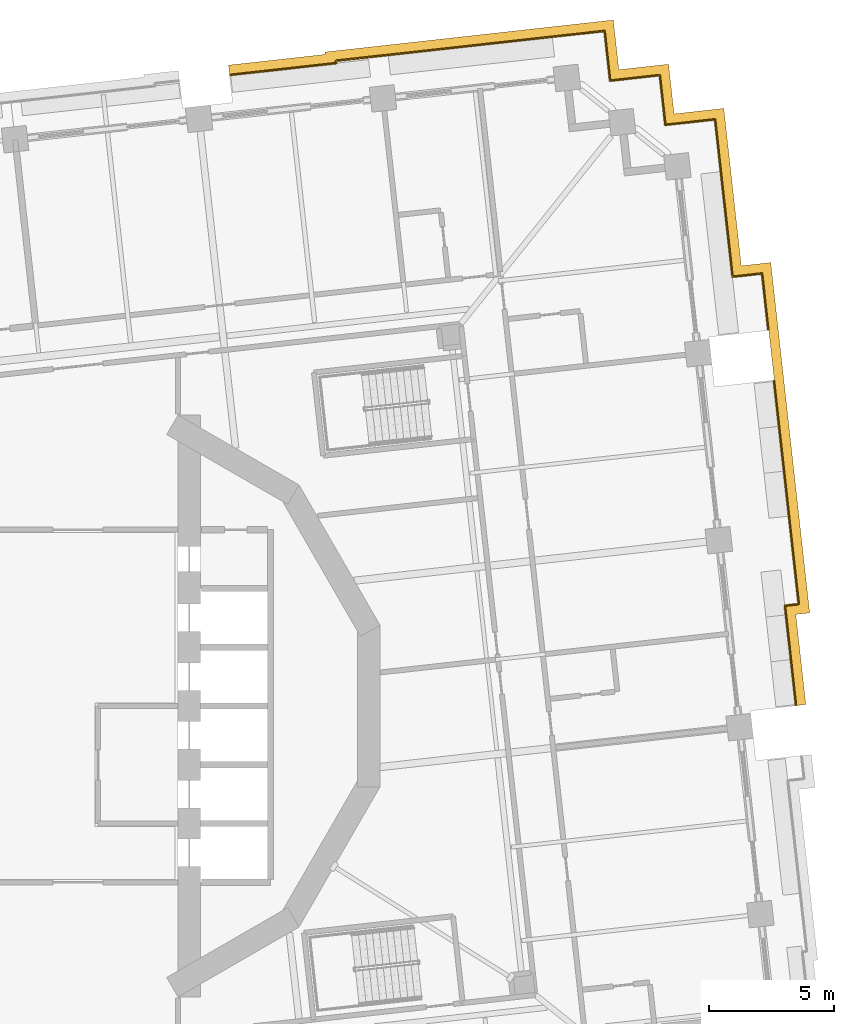
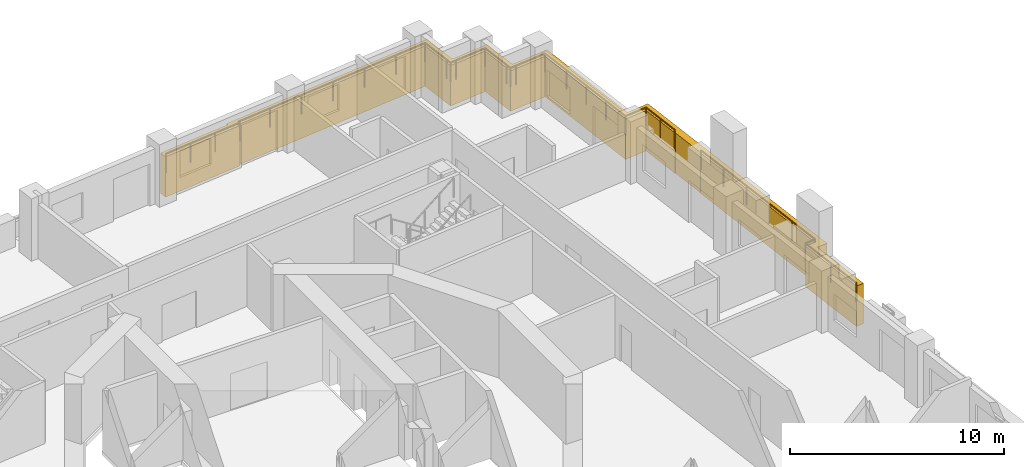
# One storey, part 18 of 19: 3 railings, 1 covering.
"""IFC4 building model written with IfcOpenShell, lengths in metres."""

import ifcopenshell
import ifcopenshell.guid

model = None  # the IFC model being written
_history = None  # IfcOwnerHistory: only IFC2X3 demands one
_inside = {}  # id of a spatial element -> (the spatial element, [elements in it])
_under = {}  # id of a project, library or spatial element -> (it, [spatial elements below it])
_declared = {}  # id of a project -> (the project, [libraries it declares])
_typed = {}  # id of a type object -> (the type object, [elements of that type])
_made_of = {}  # id of a material, layer set ... -> (it, [elements and type objects made of it])


def new_model(schema):
    """Start an empty IFC model of exactly this schema.

    Asked for "IFC4X3", IfcOpenShell would pick the latest addendum, in which some entities
    have other attributes; the version numbers below select the first issue.
    IFC2X3 requires an IfcOwnerHistory on every rooted entity: one is made here for all.
    """
    global model, _history
    if schema == "IFC4X3":
        model = ifcopenshell.file(schema_version=(4, 3, 0, 0))
    else:
        model = ifcopenshell.file(schema=schema)
    _inside.clear()
    _under.clear()
    _declared.clear()
    _typed.clear()
    _made_of.clear()
    _history = None
    if model.schema == "IFC2X3":
        org = make("IfcOrganization", Name="unknown")
        user = make(
            "IfcPersonAndOrganization",
            ThePerson=make("IfcPerson", FamilyName="unknown"),
            TheOrganization=org,
        )
        app = make(
            "IfcApplication",
            ApplicationDeveloper=org,
            Version="unknown",
            ApplicationFullName="unknown",
            ApplicationIdentifier="unknown",
        )
        _history = make(
            "IfcOwnerHistory",
            OwningUser=user,
            OwningApplication=app,
            ChangeAction="ADDED",
            CreationDate=0,
        )
    return model


def make(cls, **values):
    """One entity of the class cls with the attributes given. An attribute that is None is left unset."""
    return model.create_entity(
        cls, **{name: value for name, value in values.items() if value is not None}
    )


def rooted(cls, **values):
    """An entity with a GlobalId (a new one), such as an element, a storey or a relation."""
    return make(cls, GlobalId=ifcopenshell.guid.new(), OwnerHistory=_history, **values)


def si_unit(unit_type, name, prefix=None):
    """IfcSIUnit, for example si_unit("LENGTHUNIT", "METRE", prefix="MILLI")."""
    return make("IfcSIUnit", UnitType=unit_type, Prefix=prefix, Name=name)


def assignment(units):
    """IfcUnitAssignment: the units of a project."""
    return None if units is None else make("IfcUnitAssignment", Units=units)


def point(xyz):
    """IfcCartesianPoint."""
    return None if xyz is None else make("IfcCartesianPoint", Coordinates=xyz)


def direction(xyz):
    """IfcDirection."""
    return None if xyz is None else make("IfcDirection", DirectionRatios=xyz)


def frame(location, z_axis=None, x_axis=None):
    """IfcAxis2Placement3D, a coordinate frame: its origin and axes. An axis left out is left unset."""
    return make(
        "IfcAxis2Placement3D",
        Location=point(location),
        Axis=direction(z_axis),
        RefDirection=direction(x_axis),
    )


def frame_2d(location, x_axis=None):
    """IfcAxis2Placement2D, a coordinate frame in the plane: its origin and x axis."""
    return make(
        "IfcAxis2Placement2D", Location=point(location), RefDirection=direction(x_axis)
    )


def origin():
    """The frame at (0, 0, 0) with its axes left unset."""
    return frame((0.0, 0.0, 0.0))


def origin_2d():
    """The frame at (0, 0) in the plane with its x axis left unset."""
    return frame_2d((0.0, 0.0))


def place(relative_to, where):
    """IfcLocalPlacement: puts the frame where relative to a parent placement (None: the world)."""
    return make(
        "IfcLocalPlacement", PlacementRelTo=relative_to, RelativePlacement=where
    )


def context(
    kind, dimensions, precision=None, world=None, true_north=None, identifier=None
):
    """IfcGeometricRepresentationContext, for example the 3D "Model" context."""
    return make(
        "IfcGeometricRepresentationContext",
        ContextIdentifier=identifier,
        ContextType=kind,
        CoordinateSpaceDimension=dimensions,
        Precision=precision,
        WorldCoordinateSystem=world,
        TrueNorth=true_north,
    )


def subcontext(parent, identifier, kind, view, scale=None):
    """IfcGeometricRepresentationSubContext, for example "Body" below "Model"."""
    return make(
        "IfcGeometricRepresentationSubContext",
        ContextIdentifier=identifier,
        ContextType=kind,
        ParentContext=parent,
        TargetScale=scale,
        TargetView=view,
    )


def project(units=None, contexts=None):
    """IfcProject with its units and contexts."""
    return rooted(
        "IfcProject",
        Name="project",
        RepresentationContexts=contexts,
        UnitsInContext=assignment(units),
    )


def spatial(cls, under=None, at=None, **own):
    """A site, building, storey or space (cls), placed at a placement, below another one or the project."""
    s = rooted(cls, ObjectPlacement=at, **own)
    if under is not None:
        _under.setdefault(under.id(), (under, []))[1].append(s)
    return s


def polyline(points):
    """IfcPolyline through the points."""
    return make("IfcPolyline", Points=[point(p) for p in points])


def profile(cls, at=None, kind="AREA", **sizes):
    """A parametric profile (cls). Its sizes go by their IFC names, for example OverallWidth=200.0."""
    return make(cls, ProfileType=kind, Position=at, **sizes)


def circle(**sizes):
    """IfcCircleProfileDef."""
    return profile("IfcCircleProfileDef", **sizes)


def outline(outer, holes=None, kind="AREA"):
    """IfcArbitraryClosedProfileDef: a profile drawn as a closed curve; with holes, ...WithVoids."""
    if holes is None:
        return make("IfcArbitraryClosedProfileDef", ProfileType=kind, OuterCurve=outer)
    return make(
        "IfcArbitraryProfileDefWithVoids",
        ProfileType=kind,
        OuterCurve=outer,
        InnerCurves=holes,
    )


def extrude(swept, where, along, depth):
    """IfcExtrudedAreaSolid: the profile swept, set in the frame where, extruded along a direction by depth."""
    return make(
        "IfcExtrudedAreaSolid",
        SweptArea=swept,
        Position=where,
        ExtrudedDirection=direction(along),
        Depth=depth,
    )


def shape(context_of_items, identifier, shape_type, items):
    """IfcShapeRepresentation: the items that make up one representation, for example the "Body"."""
    return make(
        "IfcShapeRepresentation",
        ContextOfItems=context_of_items,
        RepresentationIdentifier=identifier,
        RepresentationType=shape_type,
        Items=items,
    )


def material(Name=None, Category=None):
    """IfcMaterial."""
    return make("IfcMaterial", Name=Name, Category=Category)


def made_of(thing, what):
    """Note that an element or type object is made of a material, layer set ...; save() writes the relation."""
    if what is not None:
        _made_of.setdefault(what.id(), (what, []))[1].append(thing)
    return thing


def type_object(cls, material=None, **own):
    """A type object (cls), such as IfcWallType, which elements share."""
    return made_of(rooted(cls, **own), material)


def element(
    cls,
    number,
    at=None,
    inside=None,
    cuts=None,
    type_object=None,
    material=None,
    context=None,
    identifier="Body",
    shape_type=None,
    held_by="IfcProductDefinitionShape",
    body=None,
    shapes=None,
    **own,
):
    """One element of the class cls, such as IfcWall. Its Tag is "e" and its number.

    at: its placement. inside: the storey or other place that contains it. cuts: it is an
    opening in that element (IfcRelVoidsElement). A single representation is given by context,
    identifier, shape_type and body (its items); several are given by shapes. held_by: the class
    of the entity that holds the representations. save() writes the other relations.
    """
    e = rooted(cls, Tag="e%d" % number, ObjectPlacement=at, **own)
    if body is not None:
        shapes = [shape(context, identifier, shape_type, body)]
    if shapes is not None:
        e.Representation = make(held_by, Representations=shapes)
    if inside is not None:
        _inside.setdefault(inside.id(), (inside, []))[1].append(e)
    if cuts is not None:
        rooted(
            "IfcRelVoidsElement", RelatingBuildingElement=cuts, RelatedOpeningElement=e
        )
    if type_object is not None:
        _typed.setdefault(type_object.id(), (type_object, []))[1].append(e)
    return made_of(e, material)


def aggregate(whole, parts):
    """IfcRelAggregates: a whole, such as a stair, and the parts it consists of."""
    return rooted("IfcRelAggregates", RelatingObject=whole, RelatedObjects=parts)


def save(model, path):
    """Write the relations noted so far, then the file.

    IfcRelAggregates (storeys below a building ...), IfcRelContainedInSpatialStructure (elements
    in a storey), IfcRelDefinesByType, IfcRelAssociatesMaterial and IfcRelDeclares: one each for
    every whole, place, type object, material and project.
    """
    for whole, parts in _under.values():
        aggregate(whole, parts)
    for where, things in _inside.values():
        rooted(
            "IfcRelContainedInSpatialStructure",
            RelatedElements=things,
            RelatingStructure=where,
        )
    for kind, things in _typed.values():
        rooted("IfcRelDefinesByType", RelatedObjects=things, RelatingType=kind)
    for what, things in _made_of.values():
        rooted("IfcRelAssociatesMaterial", RelatedObjects=things, RelatingMaterial=what)
    for by, libraries in _declared.values():
        rooted("IfcRelDeclares", RelatingContext=by, RelatedDefinitions=libraries)
    model.write(path)


model = new_model("IFC4")

# Units and contexts
model_context = context("Model", 3, precision=1e-05, world=origin(), true_north=direction((0.0, 1.0)))
body_context = subcontext(model_context, "Body", "Model", "MODEL_VIEW")
ifc_project = project(units=[si_unit("LENGTHUNIT", "METRE"), si_unit("AREAUNIT", "SQUARE_METRE"), si_unit("VOLUMEUNIT", "CUBIC_METRE"), si_unit("PLANEANGLEUNIT", "RADIAN"), si_unit("MASSUNIT", "GRAM", prefix="KILO")], contexts=[model_context])

# Site, building, storey
site_placement = place(None, origin())
site = spatial("IfcSite", under=ifc_project, at=site_placement, CompositionType="ELEMENT")
building_placement = place(site_placement, origin())
building = spatial("IfcBuilding", under=site, at=building_placement, Name="Cantera Rosa Tower", CompositionType="ELEMENT")
storey_placement = place(building_placement, frame((0.0, 0.0, 53.89990234375)))
storey = spatial("IfcBuildingStorey", under=building, at=storey_placement, Name="L10", CompositionType="ELEMENT", Elevation=53.89990234375)

# Railings
ifc_material_1 = material(Name="Stainless steel and laminated glass", Category="steel")
railing_type = type_object("IfcRailingType", Name="GUARD 1100", PredefinedType="BALUSTRADE", material=ifc_material_1)
railing_1_placement = place(storey_placement, frame((27.823486328125, 12.99853515625, 0.0)))
element("IfcRailing", 1, at=railing_1_placement, inside=storey, type_object=railing_type, Name="GUARD L10-11", PredefinedType="BALUSTRADE", context=body_context, shape_type="SweptSolid", body=[
    extrude(circle(Radius=0.030029296875, at=origin_2d()), frame((0.0, 0.0, 1.070068359375), z_axis=(0.11030317772, -0.993897987212, 0.0), x_axis=(0.993897987212, 0.11030317772, 0.0)), (0.0, 0.0, 1.0), 8.977294921875),
    extrude(circle(Radius=0.030029296875, at=origin_2d()), frame((0.990234375, -8.922607421875, 1.070068359375), z_axis=(-0.993873032391, -0.110527804132, 0.0), x_axis=(0.110527804132, -0.993873032391, 0.0)), (0.0, 0.0, 1.0), 0.556640625),
    extrude(circle(Radius=0.030029296875, at=origin_2d()), frame((0.43701171875, -8.984130859375, 1.070068359375), z_axis=(0.110344492621, -0.9938934012, 0.0), x_axis=(0.9938934012, 0.110344492621, 0.0)), (0.0, 0.0, 1.0), 4.00244140625),
    extrude(circle(Radius=0.02490234375, at=origin_2d()), origin(), (0.0, 0.0, 1.0), 1.0400390625),
    extrude(circle(Radius=0.02490234375, at=origin_2d()), frame((0.197998046875, -1.784423828125, 0.0)), (0.0, 0.0, 1.0), 1.0400390625),
    extrude(circle(Radius=0.02490234375, at=origin_2d()), frame((0.39599609375, -3.569091796875, 0.0)), (0.0, 0.0, 1.0), 1.0400390625),
    extrude(circle(Radius=0.02490234375, at=origin_2d()), frame((0.59423828125, -5.353515625, 0.0)), (0.0, 0.0, 1.0), 1.0400390625),
    extrude(circle(Radius=0.02490234375, at=origin_2d()), frame((0.792236328125, -7.13818359375, 0.0)), (0.0, 0.0, 1.0), 1.0400390625),
    extrude(circle(Radius=0.02490234375, at=origin_2d()), frame((0.990234375, -8.922607421875, 0.0)), (0.0, 0.0, 1.0), 1.0400390625),
    extrude(circle(Radius=0.02490234375, at=origin_2d()), frame((0.43701171875, -8.984130859375, 0.0)), (0.0, 0.0, 1.0), 1.0400390625),
    extrude(circle(Radius=0.02490234375, at=origin_2d()), frame((0.65771484375, -10.97314453125, 0.0)), (0.0, 0.0, 1.0), 1.0400390625),
    extrude(circle(Radius=0.02490234375, at=origin_2d()), frame((0.878662109375, -12.962158203125, 0.0)), (0.0, 0.0, 1.0), 1.0400390625),
])
railing_2_placement = place(storey_placement, frame((25.46826171875, 23.45263671875, 0.0)))
element("IfcRailing", 2, at=railing_2_placement, inside=storey, type_object=railing_type, Name="GUARD L10-12", PredefinedType="BALUSTRADE", context=body_context, shape_type="SweptSolid", body=[
    extrude(circle(Radius=0.030029296875, at=origin_2d()), frame((0.0, 0.0, 1.070068359375), z_axis=(0.110289669906, -0.993899486222, 0.0), x_axis=(0.993899486222, 0.110289669906, 0.0)), (0.0, 0.0, 1.0), 1.699951171875),
    extrude(circle(Radius=0.030029296875, at=origin_2d()), frame((0.1875, -1.689697265625, 1.070068359375), z_axis=(0.110310048323, -0.993897224686, 0.0), x_axis=(0.993897224686, 0.110310048323, 0.0)), (0.0, 0.0, 1.0), 4.63232421875),
    extrude(circle(Radius=0.030029296875, at=origin_2d()), frame((0.698486328125, -6.293701171875, 1.070068359375), z_axis=(0.993911279604, 0.110183339373, 0.0), x_axis=(-0.110183339373, 0.993911279604, 0.0)), (0.0, 0.0, 1.0), 1.187744140625),
    extrude(circle(Radius=0.030029296875, at=origin_2d()), frame((1.87890625, -6.162841796875, 1.070068359375), z_axis=(0.110312824257, -0.993896916589, 0.0), x_axis=(0.993896916589, 0.110312824257, 0.0)), (0.0, 0.0, 1.0), 2.25732421875),
    extrude(circle(Radius=0.02490234375, at=origin_2d()), origin(), (0.0, 0.0, 1.0), 1.0400390625),
    extrude(circle(Radius=0.02490234375, at=origin_2d()), frame((0.1875, -1.689697265625, 0.0)), (0.0, 0.0, 1.0), 1.0400390625),
    extrude(circle(Radius=0.02490234375, at=origin_2d()), frame((0.35791015625, -3.224365234375, 0.0)), (0.0, 0.0, 1.0), 1.0400390625),
    extrude(circle(Radius=0.02490234375, at=origin_2d()), frame((0.528076171875, -4.759033203125, 0.0)), (0.0, 0.0, 1.0), 1.0400390625),
    extrude(circle(Radius=0.02490234375, at=origin_2d()), frame((0.698486328125, -6.293701171875, 0.0)), (0.0, 0.0, 1.0), 1.0400390625),
    extrude(circle(Radius=0.02490234375, at=origin_2d()), frame((1.87890625, -6.162841796875, 0.0)), (0.0, 0.0, 1.0), 1.0400390625),
    extrude(circle(Radius=0.02490234375, at=origin_2d()), frame((2.00341796875, -7.28466796875, 0.0)), (0.0, 0.0, 1.0), 1.0400390625),
    extrude(circle(Radius=0.02490234375, at=origin_2d()), frame((2.1279296875, -8.406494140625, 0.0)), (0.0, 0.0, 1.0), 1.0400390625),
])
railing_3_placement = place(storey_placement, frame((6.083984375, 25.22900390625, 0.0)))
element("IfcRailing", 3, at=railing_3_placement, inside=storey, type_object=railing_type, Name="GUARD L10-13", PredefinedType="BALUSTRADE", context=body_context, shape_type="SweptSolid", body=[
    extrude(circle(Radius=0.030029296875, at=origin_2d()), frame((0.0, 0.0, 1.070068359375), z_axis=(0.993899065121, 0.110293464685, 0.0), x_axis=(-0.110293464685, 0.993899065121, 0.0)), (0.0, 0.0, 1.0), 4.27001953125),
    extrude(circle(Radius=0.030029296875, at=origin_2d()), frame((4.243896484375, 0.470947265625, 1.070068359375), z_axis=(-0.109039814969, 0.994037382975, 0.0), x_axis=(-0.994037382975, -0.109039814969, 0.0)), (0.0, 0.0, 1.0), 0.09619140625),
    extrude(circle(Radius=0.030029296875, at=origin_2d()), frame((4.2333984375, 0.566650390625, 1.070068359375), z_axis=(0.993899102511, 0.110293127745, 0.0), x_axis=(-0.110293127745, 0.993899102511, 0.0)), (0.0, 0.0, 1.0), 9.099853515625),
    extrude(circle(Radius=0.030029296875, at=origin_2d()), frame((13.27783203125, 1.5703125, 1.070068359375), z_axis=(0.993883734674, 0.110431526075, 0.0), x_axis=(-0.110431526075, 0.993883734674, 0.0)), (0.0, 0.0, 1.0), 1.7001953125),
    extrude(circle(Radius=0.030029296875, at=origin_2d()), frame((14.967529296875, 1.758056640625, 1.070068359375), z_axis=(0.110289669906, -0.993899486222, 0.0), x_axis=(0.993899486222, 0.110289669906, 0.0)), (0.0, 0.0, 1.0), 1.699951171875),
    extrude(circle(Radius=0.030029296875, at=origin_2d()), frame((15.155029296875, 0.068359375, 1.070068359375), z_axis=(0.110699535641, -0.99385391925, 0.0), x_axis=(0.99385391925, 0.110699535641, 0.0)), (0.0, 0.0, 1.0), 0.300048828125),
    extrude(circle(Radius=0.030029296875, at=origin_2d()), frame((15.188232421875, -0.229736328125, 1.070068359375), z_axis=(0.993943154022, 0.10989543472, 0.0), x_axis=(-0.10989543472, 0.993943154022, 0.0)), (0.0, 0.0, 1.0), 0.2998046875),
    extrude(circle(Radius=0.030029296875, at=origin_2d()), frame((15.486328125, -0.19677734375, 1.070068359375), z_axis=(0.993899486222, 0.110289669906, 0.0), x_axis=(-0.110289669906, 0.993899486222, 0.0)), (0.0, 0.0, 1.0), 1.699951171875),
    extrude(circle(Radius=0.030029296875, at=origin_2d()), frame((17.176025390625, -0.00927734375, 1.070068359375), z_axis=(0.110305413813, -0.993897739047, 0.0), x_axis=(0.993897739047, 0.110305413813, 0.0)), (0.0, 0.0, 1.0), 1.69970703125),
    extrude(circle(Radius=0.030029296875, at=origin_2d()), frame((17.363525390625, -1.69873046875, 1.070068359375), z_axis=(0.1098065887, -0.993952973273, 0.0), x_axis=(0.993952973273, 0.1098065887, 0.0)), (0.0, 0.0, 1.0), 0.300048828125),
    extrude(circle(Radius=0.030029296875, at=origin_2d()), frame((17.396484375, -1.9970703125, 1.070068359375), z_axis=(0.993863881828, 0.110610055588, 0.0), x_axis=(-0.110610055588, 0.993863881828, 0.0)), (0.0, 0.0, 1.0), 0.30029296875),
    extrude(circle(Radius=0.030029296875, at=origin_2d()), frame((17.69482421875, -1.9638671875, 1.070068359375), z_axis=(0.993897739047, 0.110305413813, 0.0), x_axis=(-0.110305413813, 0.993897739047, 0.0)), (0.0, 0.0, 1.0), 1.69970703125),
    extrude(circle(Radius=0.02490234375, at=origin_2d()), origin(), (0.0, 0.0, 1.0), 1.0400390625),
    extrude(circle(Radius=0.02490234375, at=origin_2d()), frame((1.41455078125, 0.156982421875, 0.0)), (0.0, 0.0, 1.0), 1.0400390625),
    extrude(circle(Radius=0.02490234375, at=origin_2d()), frame((2.829345703125, 0.31396484375, 0.0)), (0.0, 0.0, 1.0), 1.0400390625),
    extrude(circle(Radius=0.02490234375, at=origin_2d()), frame((4.243896484375, 0.470947265625, 0.0)), (0.0, 0.0, 1.0), 1.0400390625),
    extrude(circle(Radius=0.02490234375, at=origin_2d()), frame((4.2333984375, 0.566650390625, 0.0)), (0.0, 0.0, 1.0), 1.0400390625),
    extrude(circle(Radius=0.02490234375, at=origin_2d()), frame((6.042236328125, 0.767333984375, 0.0)), (0.0, 0.0, 1.0), 1.0400390625),
    extrude(circle(Radius=0.02490234375, at=origin_2d()), frame((7.85107421875, 0.968017578125, 0.0)), (0.0, 0.0, 1.0), 1.0400390625),
    extrude(circle(Radius=0.02490234375, at=origin_2d()), frame((9.66015625, 1.1689453125, 0.0)), (0.0, 0.0, 1.0), 1.0400390625),
    extrude(circle(Radius=0.02490234375, at=origin_2d()), frame((11.468994140625, 1.36962890625, 0.0)), (0.0, 0.0, 1.0), 1.0400390625),
    extrude(circle(Radius=0.02490234375, at=origin_2d()), frame((13.27783203125, 1.5703125, 0.0)), (0.0, 0.0, 1.0), 1.0400390625),
    extrude(circle(Radius=0.02490234375, at=origin_2d()), frame((14.967529296875, 1.758056640625, 0.0)), (0.0, 0.0, 1.0), 1.0400390625),
    extrude(circle(Radius=0.02490234375, at=origin_2d()), frame((15.155029296875, 0.068359375, 0.0)), (0.0, 0.0, 1.0), 1.0400390625),
    extrude(circle(Radius=0.02490234375, at=origin_2d()), frame((15.188232421875, -0.229736328125, 0.0)), (0.0, 0.0, 1.0), 1.0400390625),
    extrude(circle(Radius=0.02490234375, at=origin_2d()), frame((15.486328125, -0.19677734375, 0.0)), (0.0, 0.0, 1.0), 1.0400390625),
    extrude(circle(Radius=0.02490234375, at=origin_2d()), frame((17.176025390625, -0.00927734375, 0.0)), (0.0, 0.0, 1.0), 1.0400390625),
    extrude(circle(Radius=0.02490234375, at=origin_2d()), frame((17.363525390625, -1.69873046875, 0.0)), (0.0, 0.0, 1.0), 1.0400390625),
    extrude(circle(Radius=0.02490234375, at=origin_2d()), frame((17.396484375, -1.9970703125, 0.0)), (0.0, 0.0, 1.0), 1.0400390625),
    extrude(circle(Radius=0.02490234375, at=origin_2d()), frame((17.69482421875, -1.9638671875, 0.0)), (0.0, 0.0, 1.0), 1.0400390625),
    extrude(circle(Radius=0.02490234375, at=origin_2d()), frame((19.38427734375, -1.7763671875, 0.0)), (0.0, 0.0, 1.0), 1.0400390625),
])

# Covering
ifc_material_2 = material(Name="Cantera stone", Category="masonry")
covering_type = type_object("IfcCoveringType", Name="TRAY FASCIA 400", PredefinedType="CLADDING", material=ifc_material_2)
covering_placement = place(storey_placement, frame((0.0, 0.0, -1.39990234375)))
element("IfcCovering", 4, at=covering_placement, inside=storey, type_object=covering_type, Name="TRAY FASCIA L10-05", PredefinedType="CLADDING", context=body_context, shape_type="SweptSolid", body=[
    extrude(outline(polyline([(9.88623046875, 26.053466796875), (9.875732421875, 26.14892578125), (19.317626953125, 27.197021484375), (21.405029296875, 27.4287109375), (21.62548828125, 25.44091796875), (23.61328125, 25.661376953125), (23.833984375, 23.673583984375), (25.82177734375, 23.894287109375), (26.053466796875, 21.80712890625), (26.520263671875, 17.6005859375), (27.70068359375, 17.7314453125), (29.255615234375, 3.722412109375), (28.7021484375, 3.660888671875), (29.101806640625, 0.060546875), (28.704345703125, 0.0166015625), (28.260498046875, 4.014404296875), (28.813720703125, 4.075927734375), (27.8212890625, 13.0185546875), (27.83349609375, 13.019775390625), (27.83447265625, 13.02001953125), (27.83544921875, 13.020263671875), (27.83642578125, 13.0205078125), (27.83740234375, 13.02099609375), (27.838134765625, 13.021484375), (27.8388671875, 13.022216796875), (27.839599609375, 13.022705078125), (27.84033203125, 13.0234375), (27.8408203125, 13.0244140625), (27.84130859375, 13.025146484375), (27.841796875, 13.026123046875), (27.842041015625, 13.027099609375), (27.84228515625, 13.028076171875), (27.842529296875, 13.029052734375), (27.842529296875, 13.030029296875), (27.842529296875, 13.031005859375), (27.621826171875, 15.018798828125), (27.62158203125, 15.019775390625), (27.621337890625, 15.0205078125), (27.62109375, 15.021484375), (27.62060546875, 15.0224609375), (27.6201171875, 15.023193359375), (27.61962890625, 15.02392578125), (27.618896484375, 15.024658203125), (27.6181640625, 15.025390625), (27.617431640625, 15.02587890625), (27.616455078125, 15.0263671875), (27.615478515625, 15.02685546875), (27.61474609375, 15.027099609375), (27.61376953125, 15.02734375), (27.61279296875, 15.027587890625), (27.61181640625, 15.027587890625), (27.61083984375, 15.027587890625), (27.598388671875, 15.026123046875), (27.34716796875, 17.289794921875), (26.166748046875, 17.158935546875), (25.65576171875, 21.762939453125), (25.46826171875, 23.45263671875), (23.77880859375, 23.26513671875), (23.48046875, 23.23193359375), (23.447509765625, 23.5302734375), (23.260009765625, 25.2197265625), (21.5703125, 25.0322265625), (21.272216796875, 24.999267578125), (21.239013671875, 25.29736328125), (21.051513671875, 26.987060546875), (19.36181640625, 26.79931640625), (10.3173828125, 25.795654296875), (10.327880859375, 25.699951171875), (6.064208984375, 25.226806640625), (6.02001953125, 25.624267578125), (9.88623046875, 26.053466796875)])), origin(), (0.0, 0.0, 1.0), 2.300048828125),
])

save(model, "model.ifc")
